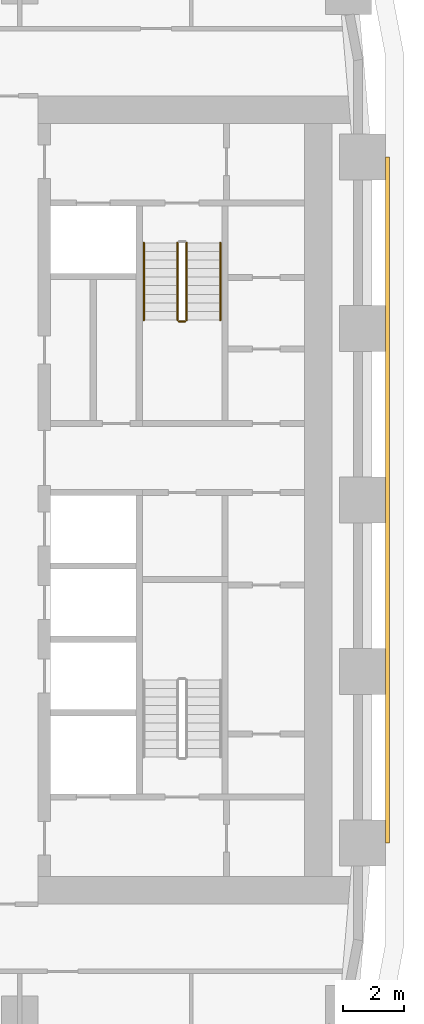
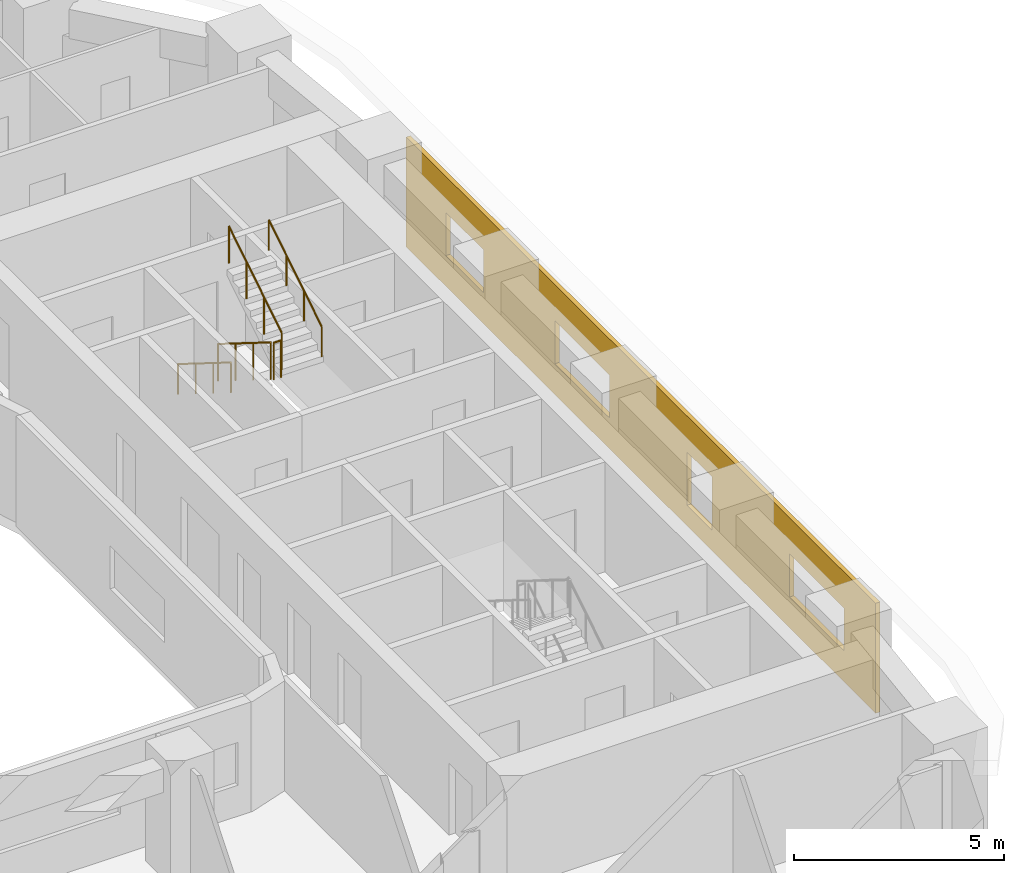
# One storey, part 18 of 21: 5 railings, 1 covering.
"""IFC4 building model written with IfcOpenShell, lengths in metres."""

from ifc_helpers import new_model, si_unit, direction, frame, origin, origin_2d, place, context, subcontext, project, spatial, polyline, circle, outline, extrude, material, layer, layer_set, type_object, element, save


model = new_model("IFC4")

# Units and contexts
model_context = context("Model", 3, precision=1e-05, world=origin(), true_north=direction((0.0, 1.0)))
body_context = subcontext(model_context, "Body", "Model", "MODEL_VIEW")
ifc_project = project(units=[si_unit("LENGTHUNIT", "METRE"), si_unit("AREAUNIT", "SQUARE_METRE"), si_unit("VOLUMEUNIT", "CUBIC_METRE"), si_unit("PLANEANGLEUNIT", "RADIAN"), si_unit("MASSUNIT", "GRAM", prefix="KILO")], contexts=[model_context])

# Site, building, storey
site_placement = place(None, origin())
site = spatial("IfcSite", under=ifc_project, at=site_placement, CompositionType="ELEMENT")
building_placement = place(site_placement, origin())
building = spatial("IfcBuilding", under=site, at=building_placement, Name="Kiln Ring Residences", CompositionType="ELEMENT")
storey_placement = place(building_placement, frame((0.0, 0.0, 48.0)))
storey = spatial("IfcBuildingStorey", under=building, at=storey_placement, Name="L11", CompositionType="ELEMENT", Elevation=48.0)

# Railings
ifc_material_1 = material(Name="Stainless steel", Category="steel")
railing_type_1 = type_object("IfcRailingType", Name="CORE-STAIR-GUARD", PredefinedType="GUARDRAIL", material=ifc_material_1)
railing_1_placement = place(storey_placement, frame((21.949951171875, 8.39990234375, 0.175048828125)))
element("IfcRailing", 1, at=railing_1_placement, inside=storey, type_object=railing_type_1, Name="L11 E-STN stair guard 1", PredefinedType="GUARDRAIL", context=body_context, shape_type="SweptSolid", body=[
    extrude(circle(Radius=0.02392578125, at=origin_2d()), frame((0.0, 0.0, 1.076171875), z_axis=(0.0, -0.848007534815, 0.529984170421), x_axis=(1.0, 0.0, 0.0)), (0.0, 0.0, 1.0), 2.9716796875),
    extrude(circle(Radius=0.02099609375, at=origin_2d()), origin(), (0.0, 0.0, 1.0), 1.052001953125),
    extrude(circle(Radius=0.02099609375, at=origin_2d()), frame((0.0, -0.840087890625, 0.52490234375)), (0.0, 0.0, 1.0), 1.052001953125),
    extrude(circle(Radius=0.02099609375, at=origin_2d()), frame((0.0, -1.679931640625, 1.050048828125)), (0.0, 0.0, 1.0), 1.052001953125),
    extrude(circle(Radius=0.02099609375, at=origin_2d()), frame((0.0, -2.52001953125, 1.574951171875)), (0.0, 0.0, 1.0), 1.052001953125),
])
railing_2_placement = place(storey_placement, frame((22.0, 5.830078125, 1.75)))
element("IfcRailing", 2, at=railing_2_placement, inside=storey, type_object=railing_type_1, Name="L11 E-STN stair guard 2", PredefinedType="GUARDRAIL", context=body_context, shape_type="SweptSolid", body=[
    extrude(circle(Radius=0.02392578125, at=origin_2d()), frame((0.0, 0.0, 1.076171875), z_axis=(1.0, 0.0, 0.0), x_axis=(0.0, 1.0, 0.0)), (0.0, 0.0, 1.0), 0.199951171875),
    extrude(circle(Radius=0.02099609375, at=origin_2d()), origin(), (0.0, 0.0, 1.0), 1.052001953125),
    extrude(circle(Radius=0.02099609375, at=origin_2d()), frame((0.199951171875, 0.0, 0.0)), (0.0, 0.0, 1.0), 1.052001953125),
])
railing_3_placement = place(storey_placement, frame((22.25, 5.8798828125, 1.925048828125)))
element("IfcRailing", 3, at=railing_3_placement, inside=storey, type_object=railing_type_1, Name="L11 E-STN stair guard 3", PredefinedType="GUARDRAIL", context=body_context, shape_type="SweptSolid", body=[
    extrude(circle(Radius=0.02392578125, at=origin_2d()), frame((0.0, 0.0, 1.076171875), z_axis=(0.0, 0.848007534815, 0.529984170421), x_axis=(-1.0, 0.0, 0.0)), (0.0, 0.0, 1.0), 2.9716796875),
    extrude(circle(Radius=0.02099609375, at=origin_2d()), origin(), (0.0, 0.0, 1.0), 1.052001953125),
    extrude(circle(Radius=0.02099609375, at=origin_2d()), frame((0.0, 0.840087890625, 0.52490234375)), (0.0, 0.0, 1.0), 1.052001953125),
    extrude(circle(Radius=0.02099609375, at=origin_2d()), frame((0.0, 1.679931640625, 1.050048828125)), (0.0, 0.0, 1.0), 1.052001953125),
    extrude(circle(Radius=0.02099609375, at=origin_2d()), frame((0.0, 2.52001953125, 1.574951171875)), (0.0, 0.0, 1.0), 1.052001953125),
])
ifc_material_2 = material(Name="Stainless steel", Category="steel")
railing_type_2 = type_object("IfcRailingType", Name="CORE-STAIR-HANDRAIL", PredefinedType="HANDRAIL", material=ifc_material_2)
railing_4_placement = place(storey_placement, frame((20.85009765625, 8.39990234375, 0.175048828125)))
element("IfcRailing", 4, at=railing_4_placement, inside=storey, type_object=railing_type_2, Name="L11 E-STN stair handrail 1", PredefinedType="HANDRAIL", context=body_context, shape_type="SweptSolid", body=[
    extrude(circle(Radius=0.02392578125, at=origin_2d()), frame((0.0, 0.0, 0.8759765625), z_axis=(0.0, -0.848007534815, 0.529984170421), x_axis=(1.0, 0.0, 0.0)), (0.0, 0.0, 1.0), 2.9716796875),
    extrude(circle(Radius=0.02099609375, at=origin_2d()), origin(), (0.0, 0.0, 1.0), 0.851806640625),
    extrude(circle(Radius=0.02099609375, at=origin_2d()), frame((0.0, -0.840087890625, 0.52490234375)), (0.0, 0.0, 1.0), 0.851806640625),
    extrude(circle(Radius=0.02099609375, at=origin_2d()), frame((0.0, -1.679931640625, 1.050048828125)), (0.0, 0.0, 1.0), 0.851806640625),
    extrude(circle(Radius=0.02099609375, at=origin_2d()), frame((0.0, -2.52001953125, 1.574951171875)), (0.0, 0.0, 1.0), 0.851806640625),
])
railing_5_placement = place(storey_placement, frame((23.35009765625, 5.8798828125, 1.925048828125)))
element("IfcRailing", 5, at=railing_5_placement, inside=storey, type_object=railing_type_2, Name="L11 E-STN stair handrail 2", PredefinedType="HANDRAIL", context=body_context, shape_type="SweptSolid", body=[
    extrude(circle(Radius=0.02392578125, at=origin_2d()), frame((0.0, 0.0, 0.8759765625), z_axis=(0.0, 0.848007534815, 0.529984170421), x_axis=(-1.0, 0.0, 0.0)), (0.0, 0.0, 1.0), 2.9716796875),
    extrude(circle(Radius=0.02099609375, at=origin_2d()), origin(), (0.0, 0.0, 1.0), 0.851806640625),
    extrude(circle(Radius=0.02099609375, at=origin_2d()), frame((0.0, 0.840087890625, 0.52490234375)), (0.0, 0.0, 1.0), 0.851806640625),
    extrude(circle(Radius=0.02099609375, at=origin_2d()), frame((0.0, 1.679931640625, 1.050048828125)), (0.0, 0.0, 1.0), 0.851806640625),
    extrude(circle(Radius=0.02099609375, at=origin_2d()), frame((0.0, 2.52001953125, 1.574951171875)), (0.0, 0.0, 1.0), 0.851806640625),
])

# Covering
ifc_material_3 = material(Name="Brick masonry, dark clay brick", Category="masonry")
ifc_layer = layer(ifc_material_3, 0.1201171875)
ifc_layer_set = layer_set([ifc_layer], Name="RAINSCREEN PANEL 120")
covering_type = type_object("IfcCoveringType", Name="RAINSCREEN PANEL 120", PredefinedType="CLADDING", material=ifc_layer_set)
covering_placement = place(storey_placement, frame((28.81005859375, -11.199951171875, 0.0), z_axis=(0.0, 0.0, 1.0), x_axis=(0.0, 1.0, 0.0)))
element("IfcCovering", 6, at=covering_placement, inside=storey, type_object=covering_type, Name="RAINSCREEN L11", PredefinedType="CLADDING", context=body_context, shape_type="SweptSolid", body=[
    extrude(outline(polyline([(0.0, 0.0), (22.39990234375, 0.0), (22.39990234375, 3.199951171875), (0.0, 3.199951171875), (0.0, 0.0)]), holes=[polyline([(9.0, 0.60009765625), (9.0, 2.14990234375), (7.800048828125, 2.14990234375), (7.800048828125, 0.60009765625), (9.0, 0.60009765625)]), polyline([(4.10009765625, 0.89990234375), (4.10009765625, 2.14990234375), (1.5, 2.14990234375), (1.5, 0.89990234375), (4.10009765625, 0.89990234375)]), polyline([(15.300048828125, 0.89990234375), (15.300048828125, 2.14990234375), (12.699951171875, 2.14990234375), (12.699951171875, 0.89990234375), (15.300048828125, 0.89990234375)]), polyline([(20.5, 0.89990234375), (20.5, 2.14990234375), (18.699951171875, 2.14990234375), (18.699951171875, 0.89990234375), (20.5, 0.89990234375)])]), frame((0.0, 0.06005859375, 0.0), z_axis=(0.0, -1.0, 0.0), x_axis=(1.0, 0.0, 0.0)), (0.0, 0.0, 1.0), 0.1201171875),
])

save(model, "model.ifc")
